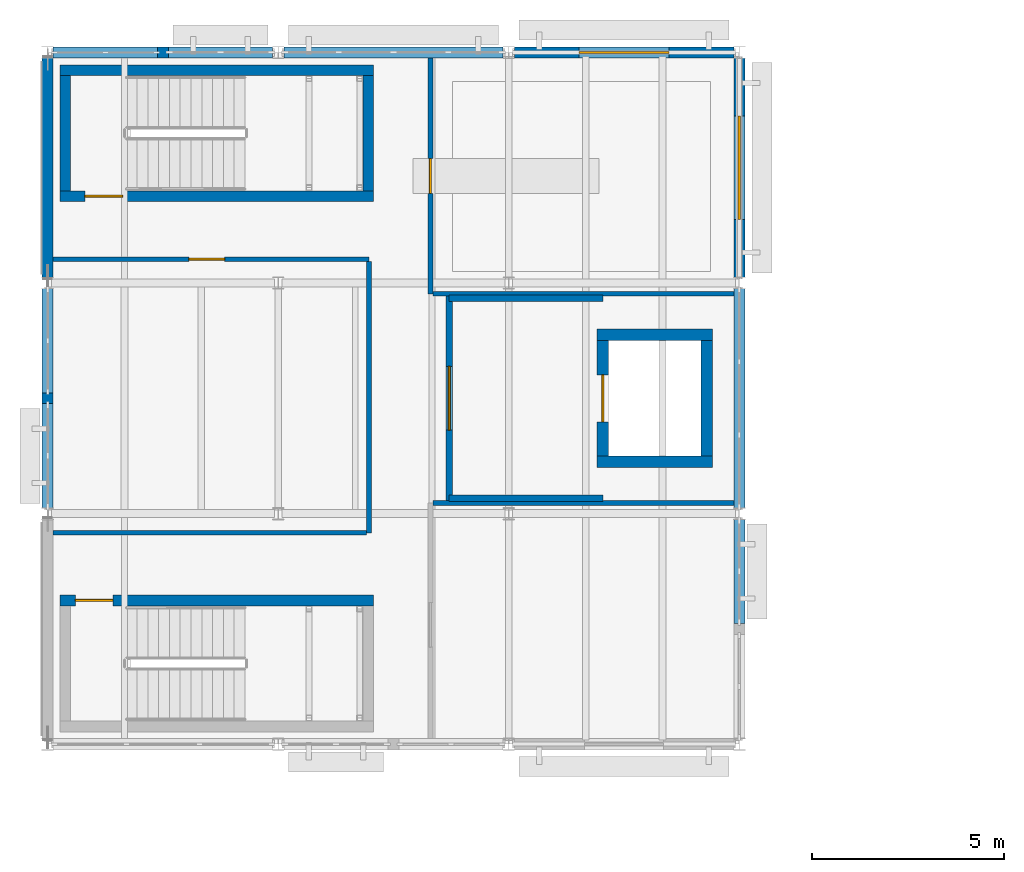
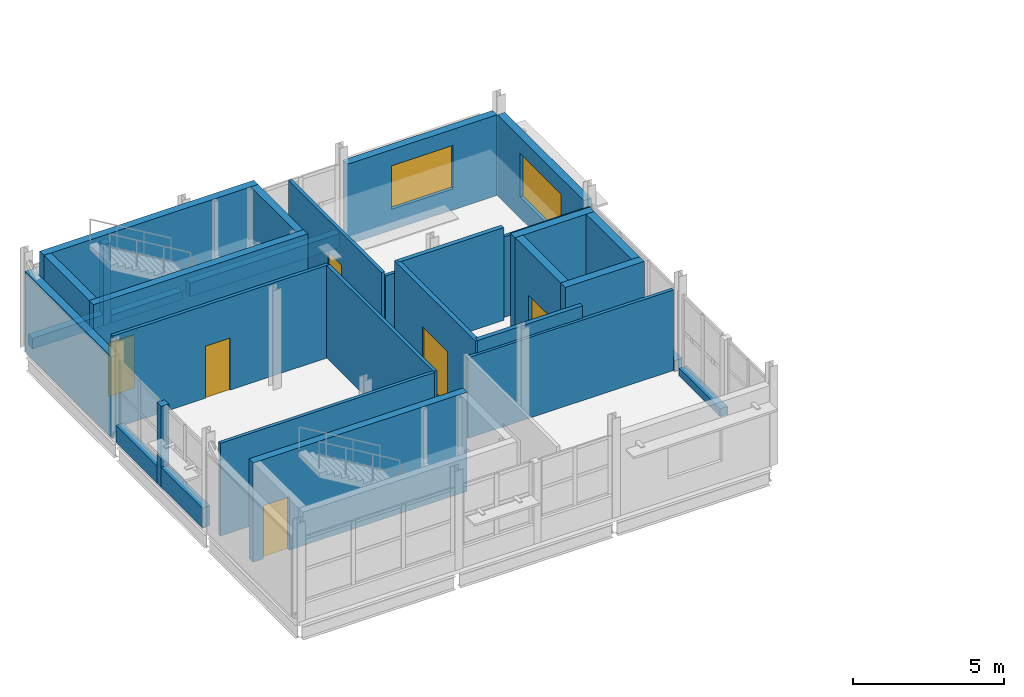
# One storey, part 37 of 45: 30 walls, 6 doors, 2 windows, 8 openings.
"""IFC4 building model written with IfcOpenShell, lengths in metres."""

import ifcopenshell
import ifcopenshell.guid

model = None  # the IFC model being written
_history = None  # IfcOwnerHistory: only IFC2X3 demands one
_inside = {}  # id of a spatial element -> (the spatial element, [elements in it])
_under = {}  # id of a project, library or spatial element -> (it, [spatial elements below it])
_declared = {}  # id of a project -> (the project, [libraries it declares])
_typed = {}  # id of a type object -> (the type object, [elements of that type])
_made_of = {}  # id of a material, layer set ... -> (it, [elements and type objects made of it])


def new_model(schema):
    """Start an empty IFC model of exactly this schema.

    Asked for "IFC4X3", IfcOpenShell would pick the latest addendum, in which some entities
    have other attributes; the version numbers below select the first issue.
    IFC2X3 requires an IfcOwnerHistory on every rooted entity: one is made here for all.
    """
    global model, _history
    if schema == "IFC4X3":
        model = ifcopenshell.file(schema_version=(4, 3, 0, 0))
    else:
        model = ifcopenshell.file(schema=schema)
    _inside.clear()
    _under.clear()
    _declared.clear()
    _typed.clear()
    _made_of.clear()
    _history = None
    if model.schema == "IFC2X3":
        org = make("IfcOrganization", Name="unknown")
        user = make(
            "IfcPersonAndOrganization",
            ThePerson=make("IfcPerson", FamilyName="unknown"),
            TheOrganization=org,
        )
        app = make(
            "IfcApplication",
            ApplicationDeveloper=org,
            Version="unknown",
            ApplicationFullName="unknown",
            ApplicationIdentifier="unknown",
        )
        _history = make(
            "IfcOwnerHistory",
            OwningUser=user,
            OwningApplication=app,
            ChangeAction="ADDED",
            CreationDate=0,
        )
    return model


def make(cls, **values):
    """One entity of the class cls with the attributes given. An attribute that is None is left unset."""
    return model.create_entity(
        cls, **{name: value for name, value in values.items() if value is not None}
    )


def rooted(cls, **values):
    """An entity with a GlobalId (a new one), such as an element, a storey or a relation."""
    return make(cls, GlobalId=ifcopenshell.guid.new(), OwnerHistory=_history, **values)


def si_unit(unit_type, name, prefix=None):
    """IfcSIUnit, for example si_unit("LENGTHUNIT", "METRE", prefix="MILLI")."""
    return make("IfcSIUnit", UnitType=unit_type, Prefix=prefix, Name=name)


def assignment(units):
    """IfcUnitAssignment: the units of a project."""
    return None if units is None else make("IfcUnitAssignment", Units=units)


def point(xyz):
    """IfcCartesianPoint."""
    return None if xyz is None else make("IfcCartesianPoint", Coordinates=xyz)


def direction(xyz):
    """IfcDirection."""
    return None if xyz is None else make("IfcDirection", DirectionRatios=xyz)


def frame(location, z_axis=None, x_axis=None):
    """IfcAxis2Placement3D, a coordinate frame: its origin and axes. An axis left out is left unset."""
    return make(
        "IfcAxis2Placement3D",
        Location=point(location),
        Axis=direction(z_axis),
        RefDirection=direction(x_axis),
    )


def frame_2d(location, x_axis=None):
    """IfcAxis2Placement2D, a coordinate frame in the plane: its origin and x axis."""
    return make(
        "IfcAxis2Placement2D", Location=point(location), RefDirection=direction(x_axis)
    )


def origin():
    """The frame at (0, 0, 0) with its axes left unset."""
    return frame((0.0, 0.0, 0.0))


def place(relative_to, where):
    """IfcLocalPlacement: puts the frame where relative to a parent placement (None: the world)."""
    return make(
        "IfcLocalPlacement", PlacementRelTo=relative_to, RelativePlacement=where
    )


def context(
    kind, dimensions, precision=None, world=None, true_north=None, identifier=None
):
    """IfcGeometricRepresentationContext, for example the 3D "Model" context."""
    return make(
        "IfcGeometricRepresentationContext",
        ContextIdentifier=identifier,
        ContextType=kind,
        CoordinateSpaceDimension=dimensions,
        Precision=precision,
        WorldCoordinateSystem=world,
        TrueNorth=true_north,
    )


def subcontext(parent, identifier, kind, view, scale=None):
    """IfcGeometricRepresentationSubContext, for example "Body" below "Model"."""
    return make(
        "IfcGeometricRepresentationSubContext",
        ContextIdentifier=identifier,
        ContextType=kind,
        ParentContext=parent,
        TargetScale=scale,
        TargetView=view,
    )


def project(units=None, contexts=None):
    """IfcProject with its units and contexts."""
    return rooted(
        "IfcProject",
        Name="project",
        RepresentationContexts=contexts,
        UnitsInContext=assignment(units),
    )


def spatial(cls, under=None, at=None, **own):
    """A site, building, storey or space (cls), placed at a placement, below another one or the project."""
    s = rooted(cls, ObjectPlacement=at, **own)
    if under is not None:
        _under.setdefault(under.id(), (under, []))[1].append(s)
    return s


def profile(cls, at=None, kind="AREA", **sizes):
    """A parametric profile (cls). Its sizes go by their IFC names, for example OverallWidth=200.0."""
    return make(cls, ProfileType=kind, Position=at, **sizes)


def rectangle(**sizes):
    """IfcRectangleProfileDef."""
    return profile("IfcRectangleProfileDef", **sizes)


def extrude(swept, where, along, depth):
    """IfcExtrudedAreaSolid: the profile swept, set in the frame where, extruded along a direction by depth."""
    return make(
        "IfcExtrudedAreaSolid",
        SweptArea=swept,
        Position=where,
        ExtrudedDirection=direction(along),
        Depth=depth,
    )


def shape(context_of_items, identifier, shape_type, items):
    """IfcShapeRepresentation: the items that make up one representation, for example the "Body"."""
    return make(
        "IfcShapeRepresentation",
        ContextOfItems=context_of_items,
        RepresentationIdentifier=identifier,
        RepresentationType=shape_type,
        Items=items,
    )


def material(Name=None, Category=None):
    """IfcMaterial."""
    return make("IfcMaterial", Name=Name, Category=Category)


def layer(
    of_material, thickness, ventilated=None, Name=None, Category=None, Priority=None
):
    """IfcMaterialLayer: one layer of a wall or slab, of a material (None: an air gap)."""
    return make(
        "IfcMaterialLayer",
        Material=of_material,
        LayerThickness=thickness,
        IsVentilated=ventilated,
        Name=Name,
        Category=Category,
        Priority=Priority,
    )


def layer_set(layers, Name=None):
    """IfcMaterialLayerSet."""
    return make("IfcMaterialLayerSet", MaterialLayers=layers, LayerSetName=Name)


def made_of(thing, what):
    """Note that an element or type object is made of a material, layer set ...; save() writes the relation."""
    if what is not None:
        _made_of.setdefault(what.id(), (what, []))[1].append(thing)
    return thing


def type_object(cls, material=None, **own):
    """A type object (cls), such as IfcWallType, which elements share."""
    return made_of(rooted(cls, **own), material)


def element(
    cls,
    number,
    at=None,
    inside=None,
    cuts=None,
    type_object=None,
    material=None,
    context=None,
    identifier="Body",
    shape_type=None,
    held_by="IfcProductDefinitionShape",
    body=None,
    shapes=None,
    **own,
):
    """One element of the class cls, such as IfcWall. Its Tag is "e" and its number.

    at: its placement. inside: the storey or other place that contains it. cuts: it is an
    opening in that element (IfcRelVoidsElement). A single representation is given by context,
    identifier, shape_type and body (its items); several are given by shapes. held_by: the class
    of the entity that holds the representations. save() writes the other relations.
    """
    e = rooted(cls, Tag="e%d" % number, ObjectPlacement=at, **own)
    if body is not None:
        shapes = [shape(context, identifier, shape_type, body)]
    if shapes is not None:
        e.Representation = make(held_by, Representations=shapes)
    if inside is not None:
        _inside.setdefault(inside.id(), (inside, []))[1].append(e)
    if cuts is not None:
        rooted(
            "IfcRelVoidsElement", RelatingBuildingElement=cuts, RelatedOpeningElement=e
        )
    if type_object is not None:
        _typed.setdefault(type_object.id(), (type_object, []))[1].append(e)
    return made_of(e, material)


def fill(opening, filler):
    """IfcRelFillsElement: the door or window that sits in an opening."""
    return rooted(
        "IfcRelFillsElement",
        RelatingOpeningElement=opening,
        RelatedBuildingElement=filler,
    )


def aggregate(whole, parts):
    """IfcRelAggregates: a whole, such as a stair, and the parts it consists of."""
    return rooted("IfcRelAggregates", RelatingObject=whole, RelatedObjects=parts)


def save(model, path):
    """Write the relations noted so far, then the file.

    IfcRelAggregates (storeys below a building ...), IfcRelContainedInSpatialStructure (elements
    in a storey), IfcRelDefinesByType, IfcRelAssociatesMaterial and IfcRelDeclares: one each for
    every whole, place, type object, material and project.
    """
    for whole, parts in _under.values():
        aggregate(whole, parts)
    for where, things in _inside.values():
        rooted(
            "IfcRelContainedInSpatialStructure",
            RelatedElements=things,
            RelatingStructure=where,
        )
    for kind, things in _typed.values():
        rooted("IfcRelDefinesByType", RelatedObjects=things, RelatingType=kind)
    for what, things in _made_of.values():
        rooted("IfcRelAssociatesMaterial", RelatedObjects=things, RelatingMaterial=what)
    for by, libraries in _declared.values():
        rooted("IfcRelDeclares", RelatingContext=by, RelatedDefinitions=libraries)
    model.write(path)


model = new_model("IFC4")

# Units and contexts
model_context = context("Model", 3, precision=1e-05, world=origin(), true_north=direction((0.0, 1.0)))
body_context = subcontext(model_context, "Body", "Model", "MODEL_VIEW")
ifc_project = project(units=[si_unit("LENGTHUNIT", "METRE"), si_unit("AREAUNIT", "SQUARE_METRE"), si_unit("VOLUMEUNIT", "CUBIC_METRE"), si_unit("PLANEANGLEUNIT", "RADIAN"), si_unit("MASSUNIT", "GRAM", prefix="KILO")], contexts=[model_context])

# Site, building, storey
site_placement = place(None, origin())
site = spatial("IfcSite", under=ifc_project, at=site_placement, CompositionType="ELEMENT")
building_placement = place(site_placement, origin())
building = spatial("IfcBuilding", under=site, at=building_placement, Name="Siltcreek Boulevard Central Fire Station", CompositionType="ELEMENT")
storey_placement = place(building_placement, frame((0.0, 0.0, 10.0)))
storey = spatial("IfcBuildingStorey", under=building, at=storey_placement, Name="L03", CompositionType="ELEMENT", Elevation=10.0)

# Wall, opening, door
ifc_material_1 = material(Name="Concrete C40/50", Category="concrete")
ifc_layer_1 = layer(ifc_material_1, 0.280029296875, Name="Concrete C40/50")
ifc_layer_set_1 = layer_set([ifc_layer_1], Name="Concrete C40/50")
wall_type_1 = type_object("IfcWallType", Name="CW_SHEAR280", PredefinedType="SHEAR", material=ifc_layer_set_1)
wall_1_placement = place(storey_placement, frame((50.47998046875, 97.93994140625, 0.0), z_axis=(0.0, 0.0, 1.0), x_axis=(-1.0, 0.0, 0.0)))
wall_1 = element("IfcWall", 1, at=wall_1_placement, inside=storey, type_object=wall_type_1, Name="L03 ST-V3A stair enclosure north shear wall", PredefinedType="SHEAR", context=body_context, shape_type="SweptSolid", body=[
    extrude(rectangle(XDim=8.159912109375, YDim=0.280029296875, at=frame_2d((4.080078125, 0.0))), origin(), (0.0, 0.0, 1.0), 4.0),
])
opening_1_placement = place(wall_1_placement, frame((6.780029296875, 0.0, 0.0)))
opening_1 = element("IfcOpeningElement", 2, at=opening_1_placement, cuts=wall_1, Name="Opening SD-022", PredefinedType="OPENING", context=body_context, shape_type="SweptSolid", body=[
    extrude(rectangle(XDim=0.97998046875, YDim=2.14990234375, at=frame_2d((0.489990234375, 1.074951171875))), frame((0.0, 0.14990234375, 0.0), z_axis=(0.0, -1.0, 0.0), x_axis=(1.0, 0.0, 0.0)), (0.0, 0.0, 1.0), 0.300048828125),
])
ifc_material_2 = material(Name="Hollow metal 90-min enclosed stair door")
door_type_1 = type_object("IfcDoorType", Name="DR_ST_098X215", OperationType="NOTDEFINED", PredefinedType="DOOR", material=ifc_material_2)
door_1_placement = place(opening_1_placement, origin())
door_1 = element("IfcDoor", 3, at=door_1_placement, inside=storey, type_object=door_type_1, Name="L03 ST-V3A enclosed exit stair door SD-022", OperationType="SINGLE_SWING_LEFT", OverallHeight=2.14990234375, OverallWidth=0.97998046875, PredefinedType="DOOR", context=body_context, shape_type="SweptSolid", body=[
    extrude(rectangle(XDim=0.97998046875, YDim=2.14990234375, at=frame_2d((0.489990234375, 1.074951171875))), frame((0.0, 0.02490234375, 0.0), z_axis=(0.0, -1.0, 0.0), x_axis=(1.0, 0.0, 0.0)), (0.0, 0.0, 1.0), 0.050048828125),
])
fill(opening_1, door_1)

wall_2_placement = place(storey_placement, frame((42.320068359375, 108.4599609375, 0.0), z_axis=(0.0, 0.0, 1.0), x_axis=(1.0, 0.0, 0.0)))
wall_2 = element("IfcWall", 4, at=wall_2_placement, inside=storey, type_object=wall_type_1, Name="L03 ST-V3B stair enclosure south shear wall", PredefinedType="SHEAR", context=body_context, shape_type="SweptSolid", body=[
    extrude(rectangle(XDim=8.159912109375, YDim=0.280029296875, at=frame_2d((4.080078125, 0.0))), origin(), (0.0, 0.0, 1.0), 4.0),
])
opening_2_placement = place(wall_2_placement, frame((0.64990234375, 0.0, 0.0)))
opening_2 = element("IfcOpeningElement", 5, at=opening_2_placement, cuts=wall_2, Name="Opening SD-028", PredefinedType="OPENING", context=body_context, shape_type="SweptSolid", body=[
    extrude(rectangle(XDim=0.97998046875, YDim=2.14990234375, at=frame_2d((0.489990234375, 1.074951171875))), frame((0.0, 0.14990234375, 0.0), z_axis=(0.0, -1.0, 0.0), x_axis=(1.0, 0.0, 0.0)), (0.0, 0.0, 1.0), 0.300048828125),
])
door_2_placement = place(opening_2_placement, origin())
door_2 = element("IfcDoor", 6, at=door_2_placement, inside=storey, type_object=door_type_1, Name="L03 ST-V3B enclosed exit stair door SD-028", OperationType="SINGLE_SWING_LEFT", OverallHeight=2.14990234375, OverallWidth=0.97998046875, PredefinedType="DOOR", context=body_context, shape_type="SweptSolid", body=[
    extrude(rectangle(XDim=0.97998046875, YDim=2.14990234375, at=frame_2d((0.489990234375, 1.074951171875))), frame((0.0, 0.02490234375, 0.0), z_axis=(0.0, -1.0, 0.0), x_axis=(1.0, 0.0, 0.0)), (0.0, 0.0, 1.0), 0.050048828125),
])
fill(opening_2, door_2)

# Walls
wall_3_placement = place(storey_placement, frame((50.47998046875, 111.739990234375, 0.0), z_axis=(0.0, 0.0, 1.0), x_axis=(-1.0, 0.0, 0.0)))
element("IfcWall", 7, at=wall_3_placement, inside=storey, type_object=wall_type_1, Name="L03 ST-V3B stair enclosure north shear wall", PredefinedType="SHEAR", context=body_context, shape_type="SweptSolid", body=[
    extrude(rectangle(XDim=8.159912109375, YDim=0.280029296875, at=frame_2d((4.080078125, 0.0))), origin(), (0.0, 0.0, 1.0), 4.0),
])
for number, where, z_axis, x_axis, name in (
    (8, (42.4599609375, 111.60009765625, 0.0), (0.0, 0.0, 1.0), (0.0, -1.0, 0.0), "L03 ST-V3B stair enclosure west shear wall"),
    (9, (50.340087890625, 108.60009765625, 0.0), (0.0, 0.0, 1.0), (0.0, 1.0, 0.0), "L03 ST-V3B stair enclosure east shear wall"),
):
    element("IfcWall", number, at=place(storey_placement, frame(where, z_axis=z_axis, x_axis=x_axis)), inside=storey, type_object=wall_type_1, Name=name, PredefinedType="SHEAR", context=body_context, shape_type="SweptSolid", body=[
        extrude(rectangle(XDim=3.0, YDim=0.280029296875, at=frame_2d((1.5, 0.0))), origin(), (0.0, 0.0, 1.0), 4.0),
    ])
ifc_layer_2 = layer(ifc_material_1, 0.304931640625, Name="Concrete C40/50")
ifc_layer_set_2 = layer_set([ifc_layer_2], Name="Concrete C40/50")
wall_type_2 = type_object("IfcWallType", Name="CW_SHEAR305", PredefinedType="SHEAR", material=ifc_layer_set_2)
for number, where, z_axis, x_axis, name in (
    (10, (56.294921875, 101.547607421875, 0.0), (0.0, 0.0, 1.0), (1.0, 0.0, 0.0), "L03 EL-04 elevator shaft south shear wall"),
    (11, (59.304931640625, 104.8525390625, 0.0), (0.0, 0.0, 1.0), (-1.0, 0.0, 0.0), "L03 EL-04 elevator shaft north shear wall"),
):
    element("IfcWall", number, at=place(storey_placement, frame(where, z_axis=z_axis, x_axis=x_axis)), inside=storey, type_object=wall_type_2, Name=name, PredefinedType="SHEAR", context=body_context, shape_type="SweptSolid", body=[
        extrude(rectangle(XDim=3.010009765625, YDim=0.304931640625, at=frame_2d((1.5048828125, 0.0))), origin(), (0.0, 0.0, 1.0), 4.0),
    ])

# Wall, opening, door
wall_4_placement = place(storey_placement, frame((56.447509765625, 104.699951171875, 0.0), z_axis=(0.0, 0.0, 1.0), x_axis=(0.0, -1.0, 0.0)))
wall_4 = element("IfcWall", 12, at=wall_4_placement, inside=storey, type_object=wall_type_2, Name="L03 EL-04 elevator shaft west shear wall", PredefinedType="SHEAR", context=body_context, shape_type="SweptSolid", body=[
    extrude(rectangle(XDim=3.0, YDim=0.304931640625, at=frame_2d((1.5, 0.0))), origin(), (0.0, 0.0, 1.0), 4.0),
])
opening_3_placement = place(wall_4_placement, frame((0.889892578125, 0.0, 0.0)))
opening_3 = element("IfcOpeningElement", 13, at=opening_3_placement, cuts=wall_4, Name="Opening LD02", PredefinedType="OPENING", context=body_context, shape_type="SweptSolid", body=[
    extrude(rectangle(XDim=1.219970703125, YDim=2.219970703125, at=frame_2d((0.60986328125, 1.10986328125))), frame((0.0, 0.162353515625, 0.0), z_axis=(0.0, -1.0, 0.0), x_axis=(1.0, 0.0, 0.0)), (0.0, 0.0, 1.0), 0.324951171875),
])
ifc_material_3 = material(Name="Stainless steel firefighting sliding elevator landing door", Category="steel")
door_type_2 = type_object("IfcDoorType", Name="DR_LD_122X222", OperationType="NOTDEFINED", PredefinedType="DOOR", material=ifc_material_3)
door_3_placement = place(opening_3_placement, origin())
door_3 = element("IfcDoor", 14, at=door_3_placement, inside=storey, type_object=door_type_2, Name="L03 EL-04 elevator sliding landing door LD-18", OperationType="SLIDING_TO_LEFT", OverallHeight=2.219970703125, OverallWidth=1.219970703125, PredefinedType="DOOR", context=body_context, shape_type="SweptSolid", body=[
    extrude(rectangle(XDim=1.219970703125, YDim=2.219970703125, at=frame_2d((0.60986328125, 1.10986328125))), frame((0.0, 0.02490234375, 0.0), z_axis=(0.0, -1.0, 0.0), x_axis=(1.0, 0.0, 0.0)), (0.0, 0.0, 1.0), 0.050048828125),
])
fill(opening_3, door_3)

# Walls
wall_5_placement = place(storey_placement, frame((59.152587890625, 101.699951171875, 0.0), z_axis=(0.0, 0.0, 1.0), x_axis=(0.0, 1.0, 0.0)))
element("IfcWall", 15, at=wall_5_placement, inside=storey, type_object=wall_type_2, Name="L03 EL-04 elevator shaft east shear wall", PredefinedType="SHEAR", context=body_context, shape_type="SweptSolid", body=[
    extrude(rectangle(XDim=3.0, YDim=0.304931640625, at=frame_2d((1.5, 0.0))), origin(), (0.0, 0.0, 1.0), 4.0),
])
ifc_material_4 = material(Name="White ribbed aluminum spandrel wall", Category="aluminium")
ifc_layer_3 = layer(ifc_material_4, 0.2900390625, Name="White ribbed aluminum spandrel wall")
ifc_layer_set_3 = layer_set([ifc_layer_3], Name="White ribbed aluminum spandrel wall")
wall_type_3 = type_object("IfcWallType", Name="EW_METAL290", PredefinedType="STANDARD", material=ifc_layer_set_3)
wall_6_placement = place(storey_placement, frame((45.139892578125, 112.199951171875, 0.0), z_axis=(0.0, 0.0, 1.0), x_axis=(-1.0, 0.0, 0.0)))
element("IfcWall", 16, at=wall_6_placement, inside=storey, type_object=wall_type_3, Name="L03 V3 facade pier 0148", PredefinedType="STANDARD", context=body_context, shape_type="SweptSolid", body=[
    extrude(rectangle(XDim=0.27978515625, YDim=0.2900390625, at=frame_2d((0.139892578125, 0.0))), origin(), (0.0, 0.0, 1.0), 3.2490234375),
])
wall_7_placement = place(storey_placement, frame((47.85498046875, 112.199951171875, 0.0), z_axis=(0.0, 0.0, 1.0), x_axis=(-1.0, 0.0, 0.0)))
element("IfcWall", 17, at=wall_7_placement, inside=storey, type_object=wall_type_3, Name="L03 V3 curtain-wall sill spandrel 0149", PredefinedType="STANDARD", context=body_context, shape_type="SweptSolid", body=[
    extrude(rectangle(XDim=2.715087890625, YDim=0.2900390625, at=frame_2d((1.357421875, 0.0))), origin(), (0.0, 0.0, 1.0), 0.320068359375),
])
wall_8_placement = place(storey_placement, frame((44.860107421875, 112.199951171875, 0.0), z_axis=(0.0, 0.0, 1.0), x_axis=(-1.0, 0.0, 0.0)))
element("IfcWall", 18, at=wall_8_placement, inside=storey, type_object=wall_type_3, Name="L03 V3 curtain-wall sill spandrel 0150", PredefinedType="STANDARD", context=body_context, shape_type="SweptSolid", body=[
    extrude(rectangle(XDim=2.715087890625, YDim=0.2900390625, at=frame_2d((1.357421875, 0.0))), origin(), (0.0, 0.0, 1.0), 0.43994140625),
])
wall_9_placement = place(storey_placement, frame((53.85498046875, 112.199951171875, 0.0), z_axis=(0.0, 0.0, 1.0), x_axis=(-1.0, 0.0, 0.0)))
element("IfcWall", 19, at=wall_9_placement, inside=storey, type_object=wall_type_3, Name="L03 V3 curtain-wall sill spandrel 0151", PredefinedType="STANDARD", context=body_context, shape_type="SweptSolid", body=[
    extrude(rectangle(XDim=5.7099609375, YDim=0.2900390625, at=frame_2d((2.85498046875, 0.0))), origin(), (0.0, 0.0, 1.0), 0.56005859375),
])

# Wall, opening, window
wall_10_placement = place(storey_placement, frame((59.85498046875, 112.199951171875, 0.0), z_axis=(0.0, 0.0, 1.0), x_axis=(-1.0, 0.0, 0.0)))
wall_10 = element("IfcWall", 20, at=wall_10_placement, inside=storey, type_object=wall_type_3, Name="L03 V3 exterior insulated rainscreen wall WL-EXT-L03-0152", PredefinedType="STANDARD", context=body_context, shape_type="SweptSolid", body=[
    extrude(rectangle(XDim=5.7099609375, YDim=0.2900390625, at=frame_2d((2.85498046875, 0.0))), origin(), (0.0, 0.0, 1.0), 3.2490234375),
])
opening_4_placement = place(wall_10_placement, frame((1.679931640625, 0.0, 0.85009765625)))
opening_4 = element("IfcOpeningElement", 21, at=opening_4_placement, cuts=wall_10, Name="Opening WN22", PredefinedType="OPENING", context=body_context, shape_type="SweptSolid", body=[
    extrude(rectangle(XDim=2.35009765625, YDim=1.75, at=frame_2d((1.175048828125, 0.875))), frame((0.0, 0.155029296875, 0.0), z_axis=(0.0, -1.0, 0.0), x_axis=(1.0, 0.0, 0.0)), (0.0, 0.0, 1.0), 0.31005859375),
])
ifc_material_5 = material(Name="Thermally broken aluminum frame with low-E insulated glass", Category="aluminium")
window_type_1 = type_object("IfcWindowType", Name="WN_PB_235X175", PartitioningType="SINGLE_PANEL", PredefinedType="WINDOW", material=ifc_material_5)
window_1_placement = place(opening_4_placement, origin())
window_1 = element("IfcWindow", 22, at=window_1_placement, inside=storey, type_object=window_type_1, Name="L03 V3 exterior window WN-0089", OverallHeight=1.75, OverallWidth=2.35009765625, PartitioningType="SINGLE_PANEL", PredefinedType="WINDOW", context=body_context, shape_type="SweptSolid", body=[
    extrude(rectangle(XDim=2.35009765625, YDim=1.75, at=frame_2d((1.175048828125, 0.875))), frame((0.0, 0.030029296875, 0.0), z_axis=(0.0, -1.0, 0.0), x_axis=(1.0, 0.0, 0.0)), (0.0, 0.0, 1.0), 0.06005859375),
])
fill(opening_4, window_1)

# Walls
wall_11_placement = place(storey_placement, frame((42.0, 103.340087890625, 0.0), z_axis=(0.0, 0.0, 1.0), x_axis=(0.0, -1.0, 0.0)))
element("IfcWall", 23, at=wall_11_placement, inside=storey, type_object=wall_type_3, Name="L03 V3 facade pier 0154", PredefinedType="STANDARD", context=body_context, shape_type="SweptSolid", body=[
    extrude(rectangle(XDim=0.280029296875, YDim=0.2900390625, at=frame_2d((0.14013671875, 0.0))), origin(), (0.0, 0.0, 1.0), 3.2529296875),
])
wall_12_placement = place(storey_placement, frame((42.0, 106.054931640625, 0.0), z_axis=(0.0, 0.0, 1.0), x_axis=(0.0, -1.0, 0.0)))
element("IfcWall", 24, at=wall_12_placement, inside=storey, type_object=wall_type_3, Name="L03 V3 curtain-wall sill spandrel 0155", PredefinedType="STANDARD", context=body_context, shape_type="SweptSolid", body=[
    extrude(rectangle(XDim=2.71484375, YDim=0.2900390625, at=frame_2d((1.357421875, 0.0))), origin(), (0.0, 0.0, 1.0), 0.679931640625),
])
wall_13_placement = place(storey_placement, frame((42.0, 103.06005859375, 0.0), z_axis=(0.0, 0.0, 1.0), x_axis=(0.0, -1.0, 0.0)))
element("IfcWall", 25, at=wall_13_placement, inside=storey, type_object=wall_type_3, Name="L03 V3 curtain-wall sill spandrel 0156", PredefinedType="STANDARD", context=body_context, shape_type="SweptSolid", body=[
    extrude(rectangle(XDim=2.715087890625, YDim=0.2900390625, at=frame_2d((1.357421875, 0.0))), origin(), (0.0, 0.0, 1.0), 0.800048828125),
])
wall_14_placement = place(storey_placement, frame((42.0, 112.054931640625, 0.0), z_axis=(0.0, 0.0, 1.0), x_axis=(0.0, -1.0, 0.0)))
element("IfcWall", 26, at=wall_14_placement, inside=storey, type_object=wall_type_3, Name="L03 V3 exterior insulated rainscreen wall WL-EXT-L03-0157", PredefinedType="STANDARD", context=body_context, shape_type="SweptSolid", body=[
    extrude(rectangle(XDim=5.7099609375, YDim=0.2900390625, at=frame_2d((2.85498046875, 0.0))), origin(), (0.0, 0.0, 1.0), 3.2529296875),
])
wall_15_placement = place(storey_placement, frame((60.0, 97.340087890625, 0.0), z_axis=(0.0, 0.0, 1.0), x_axis=(0.0, 1.0, 0.0)))
element("IfcWall", 27, at=wall_15_placement, inside=storey, type_object=wall_type_3, Name="L03 V3 curtain-wall sill spandrel 0160", PredefinedType="STANDARD", context=body_context, shape_type="SweptSolid", body=[
    extrude(rectangle(XDim=2.71484375, YDim=0.2900390625, at=frame_2d((1.357421875, 0.0))), origin(), (0.0, 0.0, 1.0), 0.320068359375),
])
wall_16_placement = place(storey_placement, frame((60.0, 100.344970703125, 0.0), z_axis=(0.0, 0.0, 1.0), x_axis=(0.0, 1.0, 0.0)))
element("IfcWall", 28, at=wall_16_placement, inside=storey, type_object=wall_type_3, Name="L03 V3 curtain-wall sill spandrel 0161", PredefinedType="STANDARD", context=body_context, shape_type="SweptSolid", body=[
    extrude(rectangle(XDim=5.7099609375, YDim=0.2900390625, at=frame_2d((2.85498046875, 0.0))), origin(), (0.0, 0.0, 1.0), 0.43994140625),
])

# Wall, opening, window
wall_17_placement = place(storey_placement, frame((60.0, 106.344970703125, 0.0), z_axis=(0.0, 0.0, 1.0), x_axis=(0.0, 1.0, 0.0)))
wall_17 = element("IfcWall", 29, at=wall_17_placement, inside=storey, type_object=wall_type_3, Name="L03 V3 exterior insulated rainscreen wall WL-EXT-L03-0162", PredefinedType="STANDARD", context=body_context, shape_type="SweptSolid", body=[
    extrude(rectangle(XDim=5.7099609375, YDim=0.2900390625, at=frame_2d((2.85498046875, 0.0))), origin(), (0.0, 0.0, 1.0), 3.2529296875),
])
opening_5_placement = place(wall_17_placement, frame((1.5048828125, 0.0, 0.85009765625)))
opening_5 = element("IfcOpeningElement", 30, at=opening_5_placement, cuts=wall_17, Name="Opening WN23", PredefinedType="OPENING", context=body_context, shape_type="SweptSolid", body=[
    extrude(rectangle(XDim=2.699951171875, YDim=1.75, at=frame_2d((1.35009765625, 0.875))), frame((0.0, 0.155029296875, 0.0), z_axis=(0.0, -1.0, 0.0), x_axis=(1.0, 0.0, 0.0)), (0.0, 0.0, 1.0), 0.31005859375),
])
window_type_2 = type_object("IfcWindowType", Name="WN_PB_270X175", PartitioningType="SINGLE_PANEL", PredefinedType="WINDOW", material=ifc_material_5)
window_2_placement = place(opening_5_placement, origin())
window_2 = element("IfcWindow", 31, at=window_2_placement, inside=storey, type_object=window_type_2, Name="L03 V3 exterior window WN-0090", OverallHeight=1.75, OverallWidth=2.699951171875, PartitioningType="SINGLE_PANEL", PredefinedType="WINDOW", context=body_context, shape_type="SweptSolid", body=[
    extrude(rectangle(XDim=2.699951171875, YDim=1.75, at=frame_2d((1.35009765625, 0.875))), frame((0.0, 0.030029296875, 0.0), z_axis=(0.0, -1.0, 0.0), x_axis=(1.0, 0.0, 0.0)), (0.0, 0.0, 1.0), 0.06005859375),
])
fill(opening_5, window_2)

# Wall, opening, door
ifc_material_6 = material(Name="Interior steel stud gypsum partition", Category="steel")
ifc_layer_4 = layer(ifc_material_6, 0.125, Name="Interior steel stud gypsum partition")
ifc_layer_set_4 = layer_set([ifc_layer_4], Name="Interior steel stud gypsum partition")
wall_type_4 = type_object("IfcWallType", Name="IW_PART125", PredefinedType="PARTITIONING", material=ifc_layer_set_4)
wall_18_placement = place(storey_placement, frame((42.14501953125, 106.820068359375, 0.0), z_axis=(0.0, 0.0, 1.0), x_axis=(1.0, 0.0, 0.0)))
wall_18 = element("IfcWall", 32, at=wall_18_placement, inside=storey, type_object=wall_type_4, Name="L03 Drill Prop Deck Room L03 partition 0275", PredefinedType="PARTITIONING", context=body_context, shape_type="SweptSolid", body=[
    extrude(rectangle(XDim=8.217529296875, YDim=0.125, at=frame_2d((4.10888671875, 0.0))), origin(), (0.0, 0.0, 1.0), 3.739990234375),
])
opening_6_placement = place(wall_18_placement, frame((3.531494140625, 0.0, 0.0)))
opening_6 = element("IfcOpeningElement", 33, at=opening_6_placement, cuts=wall_18, Name="Opening ID03", PredefinedType="OPENING", context=body_context, shape_type="SweptSolid", body=[
    extrude(rectangle(XDim=0.929931640625, YDim=2.10009765625, at=frame_2d((0.46484375, 1.050048828125))), frame((0.0, 0.072509765625, 0.0), z_axis=(0.0, -1.0, 0.0), x_axis=(1.0, 0.0, 0.0)), (0.0, 0.0, 1.0), 0.14501953125),
])
ifc_material_7 = material(Name="Solid-core timber station office door", Category="wood")
door_type_3 = type_object("IfcDoorType", Name="DR_OFF_093X210", OperationType="NOTDEFINED", PredefinedType="DOOR", material=ifc_material_7)
door_4_placement = place(opening_6_placement, frame((0.929931640625, 0.0, 0.0), z_axis=(0.0, 0.0, 1.0), x_axis=(-1.0, 0.0, 0.0)))
door_4 = element("IfcDoor", 34, at=door_4_placement, inside=storey, type_object=door_type_3, Name="L03 Drill Prop Deck Room L03 door ID-0121", OperationType="SINGLE_SWING_RIGHT", OverallHeight=2.10009765625, OverallWidth=0.929931640625, PredefinedType="DOOR", context=body_context, shape_type="SweptSolid", body=[
    extrude(rectangle(XDim=0.929931640625, YDim=2.10009765625, at=frame_2d((0.46484375, 1.050048828125))), frame((0.0, 0.02490234375, 0.0), z_axis=(0.0, -1.0, 0.0), x_axis=(1.0, 0.0, 0.0)), (0.0, 0.0, 1.0), 0.050048828125),
])
fill(opening_6, door_4)

# Walls
wall_19_placement = place(storey_placement, frame((50.360107421875, 106.757568359375, 0.0), z_axis=(0.0, 0.0, 1.0), x_axis=(0.0, -1.0, 0.0)))
element("IfcWall", 35, at=wall_19_placement, inside=storey, type_object=wall_type_4, Name="L03 Drill Prop Deck Room L03 partition 0276", PredefinedType="PARTITIONING", context=body_context, shape_type="SweptSolid", body=[
    extrude(rectangle(XDim=7.06005859375, YDim=0.125, at=frame_2d((3.530029296875, 0.0))), origin(), (0.0, 0.0, 1.0), 3.739990234375),
])
wall_20_placement = place(storey_placement, frame((50.297607421875, 99.699951171875, 0.0), z_axis=(0.0, 0.0, 1.0), x_axis=(-1.0, 0.0, 0.0)))
element("IfcWall", 36, at=wall_20_placement, inside=storey, type_object=wall_type_4, Name="L03 Drill Prop Deck Room L03 partition 0277", PredefinedType="PARTITIONING", context=body_context, shape_type="SweptSolid", body=[
    extrude(rectangle(XDim=8.152587890625, YDim=0.125, at=frame_2d((4.076171875, 0.0))), origin(), (0.0, 0.0, 1.0), 3.739990234375),
])
wall_21_placement = place(storey_placement, frame((52.0224609375, 100.47998046875, 0.0), z_axis=(0.0, 0.0, 1.0), x_axis=(1.0, 0.0, 0.0)))
element("IfcWall", 37, at=wall_21_placement, inside=storey, type_object=wall_type_4, Name="L03 Aerial Ladder Bailout Room L03 partition 0279", PredefinedType="PARTITIONING", context=body_context, shape_type="SweptSolid", body=[
    extrude(rectangle(XDim=7.83251953125, YDim=0.125, at=frame_2d((3.916259765625, 0.0))), origin(), (0.0, 0.0, 1.0), 3.2490234375),
])

# Wall, opening, door
wall_22_placement = place(storey_placement, frame((51.9599609375, 105.91748046875, 0.0), z_axis=(0.0, 0.0, 1.0), x_axis=(0.0, 1.0, 0.0)))
wall_22 = element("IfcWall", 38, at=wall_22_placement, inside=storey, type_object=wall_type_4, Name="L03 Vertical Ventilation Lab L03 partition 0280", PredefinedType="PARTITIONING", context=body_context, shape_type="SweptSolid", body=[
    extrude(rectangle(XDim=6.137451171875, YDim=0.125, at=frame_2d((3.06884765625, 0.0))), origin(), (0.0, 0.0, 1.0), 3.39892578125),
])
opening_7_placement = place(wall_22_placement, frame((2.618896484375, 0.0, 0.0)))
opening_7 = element("IfcOpeningElement", 39, at=opening_7_placement, cuts=wall_22, Name="Opening ID08", PredefinedType="OPENING", context=body_context, shape_type="SweptSolid", body=[
    extrude(rectangle(XDim=0.89990234375, YDim=2.10009765625, at=frame_2d((0.449951171875, 1.050048828125))), frame((0.0, 0.072509765625, 0.0), z_axis=(0.0, -1.0, 0.0), x_axis=(1.0, 0.0, 0.0)), (0.0, 0.0, 1.0), 0.14501953125),
])
ifc_material_8 = material(Name="Moisture-resistant accessible toilet door")
door_type_4 = type_object("IfcDoorType", Name="DR_WC_090X210", OperationType="NOTDEFINED", PredefinedType="DOOR", material=ifc_material_8)
door_5_placement = place(opening_7_placement, frame((0.89990234375, 0.0, 0.0), z_axis=(0.0, 0.0, 1.0), x_axis=(-1.0, 0.0, 0.0)))
door_5 = element("IfcDoor", 40, at=door_5_placement, inside=storey, type_object=door_type_4, Name="L03 Vertical Ventilation Lab L03 door ID-0123", OperationType="SINGLE_SWING_RIGHT", OverallHeight=2.10009765625, OverallWidth=0.89990234375, PredefinedType="DOOR", context=body_context, shape_type="SweptSolid", body=[
    extrude(rectangle(XDim=0.89990234375, YDim=2.10009765625, at=frame_2d((0.449951171875, 1.050048828125))), frame((0.0, 0.02490234375, 0.0), z_axis=(0.0, -1.0, 0.0), x_axis=(1.0, 0.0, 0.0)), (0.0, 0.0, 1.0), 0.050048828125),
])
fill(opening_7, door_5)

# Walls
wall_23_placement = place(storey_placement, frame((59.85498046875, 105.919921875, 0.0), z_axis=(0.0, 0.0, 1.0), x_axis=(-1.0, 0.0, 0.0)))
element("IfcWall", 41, at=wall_23_placement, inside=storey, type_object=wall_type_4, Name="L03 Vertical Ventilation Lab L03 partition 0281", PredefinedType="PARTITIONING", context=body_context, shape_type="SweptSolid", body=[
    extrude(rectangle(XDim=7.83251953125, YDim=0.125, at=frame_2d((3.916259765625, 0.0))), origin(), (0.0, 0.0, 1.0), 3.2490234375),
])
ifc_material_9 = material(Name="Acoustic smoke-barrier steel stud gypsum wall", Category="steel")
ifc_layer_5 = layer(ifc_material_9, 0.1650390625, Name="Acoustic smoke-barrier steel stud gypsum wall")
ifc_layer_set_5 = layer_set([ifc_layer_5], Name="Acoustic smoke-barrier steel stud gypsum wall")
wall_type_5 = type_object("IfcWallType", Name="IW_SMK165", PredefinedType="PARTITIONING", material=ifc_layer_set_5)
for number, where, z_axis, x_axis, name in (
    (42, (52.449951171875, 100.60009765625, 0.0), (0.0, 0.0, 1.0), (1.0, 0.0, 0.0), "L03 EL-04 elevator lobby S smoke partition"),
    (43, (56.447509765625, 105.800048828125, 0.0), (0.0, 0.0, 1.0), (-1.0, 0.0, 0.0), "L03 EL-04 elevator lobby N smoke partition"),
):
    element("IfcWall", number, at=place(storey_placement, frame(where, z_axis=z_axis, x_axis=x_axis)), inside=storey, type_object=wall_type_5, Name=name, PredefinedType="PARTITIONING", context=body_context, shape_type="SweptSolid", body=[
        extrude(rectangle(XDim=3.99755859375, YDim=0.1650390625, at=frame_2d((1.998779296875, 0.0))), origin(), (0.0, 0.0, 1.0), 3.739990234375),
    ])

# Wall, opening, door
wall_24_placement = place(storey_placement, frame((52.449951171875, 100.52001953125, 0.0), z_axis=(0.0, 0.0, 1.0), x_axis=(0.0, 1.0, 0.0)))
wall_24 = element("IfcWall", 44, at=wall_24_placement, inside=storey, type_object=wall_type_5, Name="L03 EL-04 elevator lobby west smoke partition", PredefinedType="PARTITIONING", context=body_context, shape_type="SweptSolid", body=[
    extrude(rectangle(XDim=5.35986328125, YDim=0.1650390625, at=frame_2d((2.679931640625, 0.0))), origin(), (0.0, 0.0, 1.0), 3.739990234375),
])
opening_8_placement = place(wall_24_placement, frame((1.85009765625, 0.0, 0.0)))
opening_8 = element("IfcOpeningElement", 45, at=opening_8_placement, cuts=wall_24, Name="Opening FD02", PredefinedType="OPENING", context=body_context, shape_type="SweptSolid", body=[
    extrude(rectangle(XDim=1.659912109375, YDim=2.199951171875, at=frame_2d((0.830078125, 1.10009765625))), frame((0.0, 0.092529296875, 0.0), z_axis=(0.0, -1.0, 0.0), x_axis=(1.0, 0.0, 0.0)), (0.0, 0.0, 1.0), 0.18505859375),
])
ifc_material_10 = material(Name="Hollow metal smoke-barrier elevator lobby pair")
door_type_5 = type_object("IfcDoorType", Name="DR_LOB_166X220", OperationType="NOTDEFINED", PredefinedType="DOOR", material=ifc_material_10)
door_6_placement = place(opening_8_placement, frame((1.659912109375, 0.0, 0.0), z_axis=(0.0, 0.0, 1.0), x_axis=(-1.0, 0.0, 0.0)))
door_6 = element("IfcDoor", 46, at=door_6_placement, inside=storey, type_object=door_type_5, Name="L03 EL-04 elevator lobby smoke door", OperationType="DOUBLE_DOOR_SINGLE_SWING", OverallHeight=2.199951171875, OverallWidth=1.659912109375, PredefinedType="DOOR", context=body_context, shape_type="SweptSolid", body=[
    extrude(rectangle(XDim=1.659912109375, YDim=2.199951171875, at=frame_2d((0.830078125, 1.10009765625))), frame((0.0, 0.02490234375, 0.0), z_axis=(0.0, -1.0, 0.0), x_axis=(1.0, 0.0, 0.0)), (0.0, 0.0, 1.0), 0.050048828125),
])
fill(opening_8, door_6)

save(model, "model.ifc")
